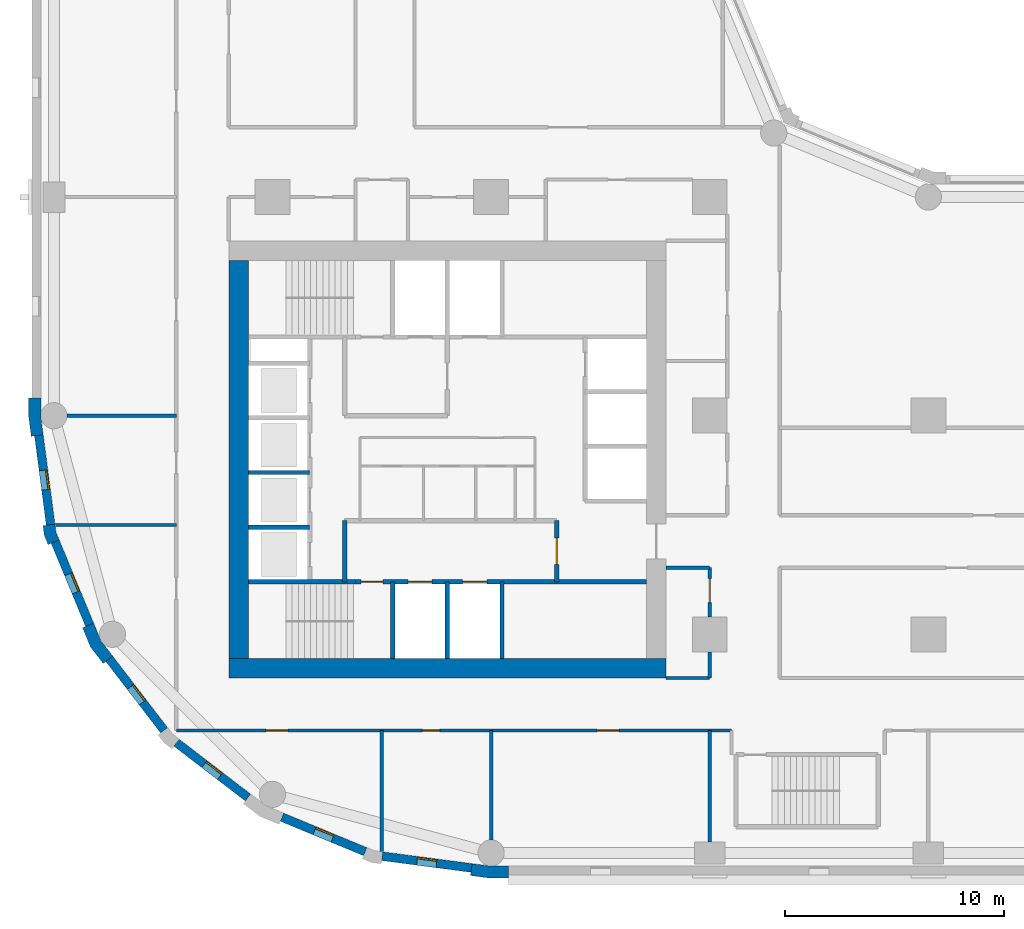
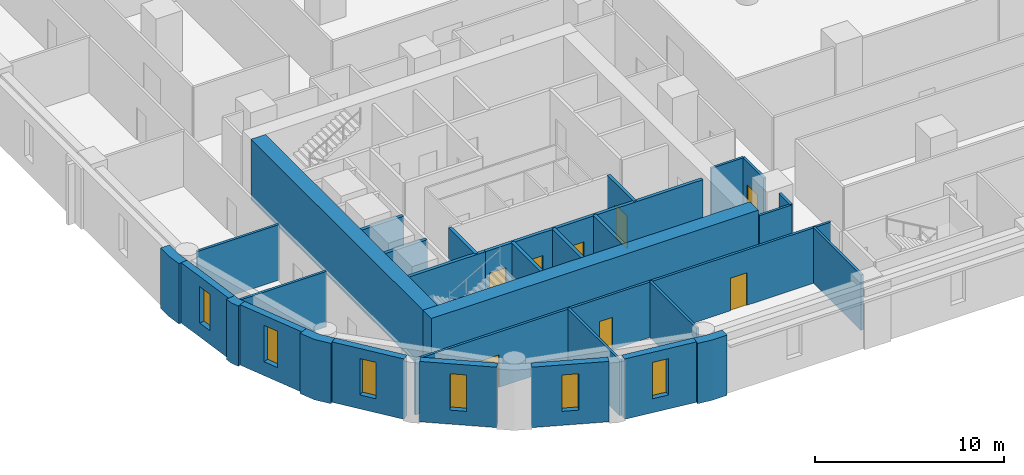
# One storey, part 2 of 11: 31 walls, 8 doors, 6 windows, 14 openings.
"""IFC4 building model written with IfcOpenShell, lengths in metres."""

from ifc_helpers import new_model, si_unit, direction, frame, frame_2d, origin, place, context, subcontext, project, spatial, polyline, rectangle, outline, extrude, material, layer, layer_set, type_object, element, fill, save


model = new_model("IFC4")

# Units and contexts
model_context = context("Model", 3, precision=1e-05, world=origin(), true_north=direction((0.0, 1.0)))
body_context = subcontext(model_context, "Body", "Model", "MODEL_VIEW")
ifc_project = project(units=[si_unit("LENGTHUNIT", "METRE"), si_unit("AREAUNIT", "SQUARE_METRE"), si_unit("VOLUMEUNIT", "CUBIC_METRE"), si_unit("PLANEANGLEUNIT", "RADIAN"), si_unit("MASSUNIT", "GRAM", prefix="KILO")], contexts=[model_context])

# Site, building, storey
site_placement = place(None, origin())
site = spatial("IfcSite", under=ifc_project, at=site_placement, CompositionType="ELEMENT")
building_placement = place(site_placement, origin())
building = spatial("IfcBuilding", under=site, at=building_placement, Name="Qaws Garden Tower", CompositionType="ELEMENT")
storey_placement = place(building_placement, frame((0.0, 0.0, 27.60009765625)))
storey = spatial("IfcBuildingStorey", under=building, at=storey_placement, Name="L06", CompositionType="ELEMENT", Elevation=27.60009765625)

# Wall, opening, window
ifc_material_1 = material(Name="Clay facing brick masonry", Category="masonry")
ifc_layer_1 = layer(ifc_material_1, 0.39990234375)
ifc_layer_set_1 = layer_set([ifc_layer_1], Name="Clay facing brick masonry")
wall_type_1 = type_object("IfcWallType", Name="Brick infill wall 400", PredefinedType="SOLIDWALL", material=ifc_layer_set_1)
wall_1_placement = place(storey_placement, frame((-0.688720703125, 19.102294921875, 0.0), z_axis=(0.0, 0.0, 1.0), x_axis=(0.130514280502, -0.991446429508, 0.0)))
wall_1 = element("IfcWall", 1, at=wall_1_placement, inside=storey, type_object=wall_type_1, Name="E-L06-infill-27", PredefinedType="SOLIDWALL", context=body_context, shape_type="SweptSolid", body=[
    extrude(rectangle(XDim=4.120849609375, YDim=0.39990234375, at=frame_2d((2.060546875, 0.0))), origin(), (0.0, 0.0, 1.0), 3.89990234375),
])
opening_1_placement = place(wall_1_placement, frame((1.610595703125, 0.0, 0.89990234375)))
opening_1 = element("IfcOpeningElement", 2, at=opening_1_placement, cuts=wall_1, Name="Opening W09", PredefinedType="OPENING", context=body_context, shape_type="SweptSolid", body=[
    extrude(rectangle(XDim=0.89990234375, YDim=2.35009765625, at=frame_2d((0.449951171875, 1.175048828125))), frame((0.0, 0.2099609375, 0.0), z_axis=(0.0, -1.0, 0.0), x_axis=(1.0, 0.0, 0.0)), (0.0, 0.0, 1.0), 0.419921875),
])
ifc_material_2 = material(Name="Aluminium framed window, clear glazing", Category="aluminium")
window_type = type_object("IfcWindowType", Name="Slit window 900 x 2350", PartitioningType="SINGLE_PANEL", PredefinedType="WINDOW", material=ifc_material_2)
window_1_placement = place(opening_1_placement, origin())
window_1 = element("IfcWindow", 3, at=window_1_placement, inside=storey, type_object=window_type, Name="E-L06-window-27-0", OverallHeight=2.35009765625, OverallWidth=0.89990234375, PartitioningType="SINGLE_PANEL", PredefinedType="WINDOW", context=body_context, shape_type="SweptSolid", body=[
    extrude(rectangle(XDim=0.89990234375, YDim=2.35009765625, at=frame_2d((0.449951171875, 1.175048828125))), frame((0.0, 0.159912109375, 0.0), z_axis=(0.0, -1.0, 0.0), x_axis=(1.0, 0.0, 0.0)), (0.0, 0.0, 1.0), 0.06005859375),
])
fill(opening_1, window_1)

wall_2_placement = place(storey_placement, frame((0.05712890625, 14.240234375, 0.0), z_axis=(0.0, 0.0, 1.0), x_axis=(0.382721546029, -0.923863744394, 0.0)))
wall_2 = element("IfcWall", 4, at=wall_2_placement, inside=storey, type_object=wall_type_1, Name="E-L06-infill-28", PredefinedType="SOLIDWALL", context=body_context, shape_type="SweptSolid", body=[
    extrude(rectangle(XDim=4.120849609375, YDim=0.39990234375, at=frame_2d((2.060546875, 0.0))), origin(), (0.0, 0.0, 1.0), 3.89990234375),
])
opening_2_placement = place(wall_2_placement, frame((1.610595703125, 0.0, 0.89990234375)))
opening_2 = element("IfcOpeningElement", 5, at=opening_2_placement, cuts=wall_2, Name="Opening W09", PredefinedType="OPENING", context=body_context, shape_type="SweptSolid", body=[
    extrude(rectangle(XDim=0.89990234375, YDim=2.35009765625, at=frame_2d((0.449951171875, 1.175048828125))), frame((0.0, 0.2099609375, 0.0), z_axis=(0.0, -1.0, 0.0), x_axis=(1.0, 0.0, 0.0)), (0.0, 0.0, 1.0), 0.419921875),
])
window_2_placement = place(opening_2_placement, origin())
window_2 = element("IfcWindow", 6, at=window_2_placement, inside=storey, type_object=window_type, Name="E-L06-window-28-0", OverallHeight=2.35009765625, OverallWidth=0.89990234375, PartitioningType="SINGLE_PANEL", PredefinedType="WINDOW", context=body_context, shape_type="SweptSolid", body=[
    extrude(rectangle(XDim=0.89990234375, YDim=2.35009765625, at=frame_2d((0.449951171875, 1.175048828125))), frame((0.0, 0.159912109375, 0.0), z_axis=(0.0, -1.0, 0.0), x_axis=(1.0, 0.0, 0.0)), (0.0, 0.0, 1.0), 0.06005859375),
])
fill(opening_2, window_2)

wall_3_placement = place(storey_placement, frame((2.53173828125, 8.87841796875, 0.0), z_axis=(0.0, 0.0, 1.0), x_axis=(0.608759824817, -0.793354571229, 0.0)))
wall_3 = element("IfcWall", 7, at=wall_3_placement, inside=storey, type_object=wall_type_1, Name="E-L06-infill-29", PredefinedType="SOLIDWALL", context=body_context, shape_type="SweptSolid", body=[
    extrude(rectangle(XDim=4.12109375, YDim=0.39990234375, at=frame_2d((2.060546875, 0.0))), origin(), (0.0, 0.0, 1.0), 3.89990234375),
])
opening_3_placement = place(wall_3_placement, frame((1.610595703125, 0.0, 0.89990234375)))
opening_3 = element("IfcOpeningElement", 8, at=opening_3_placement, cuts=wall_3, Name="Opening W09", PredefinedType="OPENING", context=body_context, shape_type="SweptSolid", body=[
    extrude(rectangle(XDim=0.89990234375, YDim=2.35009765625, at=frame_2d((0.449951171875, 1.175048828125))), frame((0.0, 0.2099609375, 0.0), z_axis=(0.0, -1.0, 0.0), x_axis=(1.0, 0.0, 0.0)), (0.0, 0.0, 1.0), 0.419921875),
])
window_3_placement = place(opening_3_placement, origin())
window_3 = element("IfcWindow", 9, at=window_3_placement, inside=storey, type_object=window_type, Name="E-L06-window-29-0", OverallHeight=2.35009765625, OverallWidth=0.89990234375, PartitioningType="SINGLE_PANEL", PredefinedType="WINDOW", context=body_context, shape_type="SweptSolid", body=[
    extrude(rectangle(XDim=0.89990234375, YDim=2.35009765625, at=frame_2d((0.449951171875, 1.175048828125))), frame((0.0, 0.159912109375, 0.0), z_axis=(0.0, -1.0, 0.0), x_axis=(1.0, 0.0, 0.0)), (0.0, 0.0, 1.0), 0.06005859375),
])
fill(opening_3, window_3)

wall_4_placement = place(storey_placement, frame((5.60888671875, 5.04052734375, 0.0), z_axis=(0.0, 0.0, 1.0), x_axis=(0.793354571229, -0.608759824817, 0.0)))
wall_4 = element("IfcWall", 10, at=wall_4_placement, inside=storey, type_object=wall_type_1, Name="E-L06-infill-30", PredefinedType="SOLIDWALL", context=body_context, shape_type="SweptSolid", body=[
    extrude(rectangle(XDim=4.12109375, YDim=0.39990234375, at=frame_2d((2.060546875, 0.0))), origin(), (0.0, 0.0, 1.0), 3.89990234375),
])
opening_4_placement = place(wall_4_placement, frame((1.610595703125, 0.0, 0.89990234375)))
opening_4 = element("IfcOpeningElement", 11, at=opening_4_placement, cuts=wall_4, Name="Opening W09", PredefinedType="OPENING", context=body_context, shape_type="SweptSolid", body=[
    extrude(rectangle(XDim=0.89990234375, YDim=2.35009765625, at=frame_2d((0.449951171875, 1.175048828125))), frame((0.0, 0.2099609375, 0.0), z_axis=(0.0, -1.0, 0.0), x_axis=(1.0, 0.0, 0.0)), (0.0, 0.0, 1.0), 0.419921875),
])
window_4_placement = place(opening_4_placement, origin())
window_4 = element("IfcWindow", 12, at=window_4_placement, inside=storey, type_object=window_type, Name="E-L06-window-30-0", OverallHeight=2.35009765625, OverallWidth=0.89990234375, PartitioningType="SINGLE_PANEL", PredefinedType="WINDOW", context=body_context, shape_type="SweptSolid", body=[
    extrude(rectangle(XDim=0.89990234375, YDim=2.35009765625, at=frame_2d((0.449951171875, 1.175048828125))), frame((0.0, 0.159912109375, 0.0), z_axis=(0.0, -1.0, 0.0), x_axis=(1.0, 0.0, 0.0)), (0.0, 0.0, 1.0), 0.06005859375),
])
fill(opening_4, window_4)

wall_5_placement = place(storey_placement, frame((10.43310546875, 1.63427734375, 0.0), z_axis=(0.0, 0.0, 1.0), x_axis=(0.923863744394, -0.382721546029, 0.0)))
wall_5 = element("IfcWall", 13, at=wall_5_placement, inside=storey, type_object=wall_type_1, Name="E-L06-infill-31", PredefinedType="SOLIDWALL", context=body_context, shape_type="SweptSolid", body=[
    extrude(rectangle(XDim=4.120849609375, YDim=0.39990234375, at=frame_2d((2.060546875, 0.0))), origin(), (0.0, 0.0, 1.0), 3.89990234375),
])
opening_5_placement = place(wall_5_placement, frame((1.610595703125, 0.0, 0.89990234375)))
opening_5 = element("IfcOpeningElement", 14, at=opening_5_placement, cuts=wall_5, Name="Opening W09", PredefinedType="OPENING", context=body_context, shape_type="SweptSolid", body=[
    extrude(rectangle(XDim=0.89990234375, YDim=2.35009765625, at=frame_2d((0.449951171875, 1.175048828125))), frame((0.0, 0.2099609375, 0.0), z_axis=(0.0, -1.0, 0.0), x_axis=(1.0, 0.0, 0.0)), (0.0, 0.0, 1.0), 0.419921875),
])
window_5_placement = place(opening_5_placement, origin())
window_5 = element("IfcWindow", 15, at=window_5_placement, inside=storey, type_object=window_type, Name="E-L06-window-31-0", OverallHeight=2.35009765625, OverallWidth=0.89990234375, PartitioningType="SINGLE_PANEL", PredefinedType="WINDOW", context=body_context, shape_type="SweptSolid", body=[
    extrude(rectangle(XDim=0.89990234375, YDim=2.35009765625, at=frame_2d((0.449951171875, 1.175048828125))), frame((0.0, 0.159912109375, 0.0), z_axis=(0.0, -1.0, 0.0), x_axis=(1.0, 0.0, 0.0)), (0.0, 0.0, 1.0), 0.06005859375),
])
fill(opening_5, window_5)

wall_6_placement = place(storey_placement, frame((15.0166015625, -0.15087890625, 0.0), z_axis=(0.0, 0.0, 1.0), x_axis=(0.991446429508, -0.130514280502, 0.0)))
wall_6 = element("IfcWall", 16, at=wall_6_placement, inside=storey, type_object=wall_type_1, Name="E-L06-infill-32", PredefinedType="SOLIDWALL", context=body_context, shape_type="SweptSolid", body=[
    extrude(rectangle(XDim=4.120849609375, YDim=0.39990234375, at=frame_2d((2.060546875, 0.0))), origin(), (0.0, 0.0, 1.0), 3.89990234375),
])
opening_6_placement = place(wall_6_placement, frame((1.610595703125, 0.0, 0.89990234375)))
opening_6 = element("IfcOpeningElement", 17, at=opening_6_placement, cuts=wall_6, Name="Opening W09", PredefinedType="OPENING", context=body_context, shape_type="SweptSolid", body=[
    extrude(rectangle(XDim=0.89990234375, YDim=2.35009765625, at=frame_2d((0.449951171875, 1.175048828125))), frame((0.0, 0.2099609375, 0.0), z_axis=(0.0, -1.0, 0.0), x_axis=(1.0, 0.0, 0.0)), (0.0, 0.0, 1.0), 0.419921875),
])
window_6_placement = place(opening_6_placement, origin())
window_6 = element("IfcWindow", 18, at=window_6_placement, inside=storey, type_object=window_type, Name="E-L06-window-32-0", OverallHeight=2.35009765625, OverallWidth=0.89990234375, PartitioningType="SINGLE_PANEL", PredefinedType="WINDOW", context=body_context, shape_type="SweptSolid", body=[
    extrude(rectangle(XDim=0.89990234375, YDim=2.35009765625, at=frame_2d((0.449951171875, 1.175048828125))), frame((0.0, 0.159912109375, 0.0), z_axis=(0.0, -1.0, 0.0), x_axis=(1.0, 0.0, 0.0)), (0.0, 0.0, 1.0), 0.06005859375),
])
fill(opening_6, window_6)

# Walls
ifc_material_3 = material(Name="Clay facing brick masonry", Category="masonry")
ifc_layer_2 = layer(ifc_material_3, 0.550048828125)
ifc_layer_set_2 = layer_set([ifc_layer_2], Name="Clay facing brick masonry")
wall_type_2 = type_object("IfcWallType", Name="Brick kink pier 550 x 600", PredefinedType="SOLIDWALL", material=ifc_layer_set_2)
placement = place(storey_placement, origin())
element("IfcWall", 19, at=placement, inside=storey, type_object=wall_type_2, Name="E-L06-pier-28", PredefinedType="SOLIDWALL", context=body_context, shape_type="SweptSolid", body=[
    extrude(outline(polyline([(-0.34912109375, 14.990478515625), (-0.497802734375, 14.970947265625), (-0.43896484375, 14.5234375), (-0.26611328125, 14.1064453125), (-0.127685546875, 14.163818359375), (0.241943359375, 14.31689453125), (0.096923828125, 14.6669921875), (0.04736328125, 15.042724609375), (-0.34912109375, 14.990478515625)])), origin(), (0.0, 0.0, 1.0), 3.89990234375),
])
ifc_material_4 = material(Name="Clay facing brick masonry", Category="masonry")
ifc_layer_3 = layer(ifc_material_4, 0.550048828125)
ifc_layer_set_3 = layer_set([ifc_layer_3], Name="Clay facing brick masonry")
wall_type_3 = type_object("IfcWallType", Name="Brick pier 550 x 1600", PredefinedType="SOLIDWALL", material=ifc_layer_set_3)
element("IfcWall", 20, at=placement, inside=storey, type_object=wall_type_3, Name="E-L06-pier-00", PredefinedType="SOLIDWALL", context=body_context, shape_type="SweptSolid", body=[
    extrude(outline(polyline([(19.076416015625, -0.886962890625), (19.056640625, -1.03564453125), (19.924560546875, -1.14990234375), (20.800048828125, -1.14990234375), (20.800048828125, -1.0), (20.800048828125, -0.60009765625), (19.960693359375, -0.60009765625), (19.12841796875, -0.490478515625), (19.076416015625, -0.886962890625)])), origin(), (0.0, 0.0, 1.0), 3.89990234375),
])
element("IfcWall", 21, at=placement, inside=storey, type_object=wall_type_3, Name="E-L06-pier-27", PredefinedType="SOLIDWALL", context=body_context, shape_type="SweptSolid", body=[
    extrude(outline(polyline([(-1.0, 20.800048828125), (-1.14990234375, 20.800048828125), (-1.14990234375, 19.924560546875), (-1.03564453125, 19.056640625), (-0.886962890625, 19.076416015625), (-0.490478515625, 19.12841796875), (-0.60009765625, 19.960693359375), (-0.60009765625, 20.800048828125), (-1.0, 20.800048828125)])), origin(), (0.0, 0.0, 1.0), 3.89990234375),
])
element("IfcWall", 22, at=placement, inside=storey, type_object=wall_type_3, Name="E-L06-pier-29", PredefinedType="SOLIDWALL", context=body_context, shape_type="SweptSolid", body=[
    extrude(outline(polyline([(1.449462890625, 10.3564453125), (1.310791015625, 10.299072265625), (1.675048828125, 9.419921875), (2.254150390625, 8.665283203125), (2.373046875, 8.756591796875), (2.6904296875, 9.0), (2.1552734375, 9.697509765625), (1.819091796875, 10.509521484375), (1.449462890625, 10.3564453125)])), origin(), (0.0, 0.0, 1.0), 3.89990234375),
])
ifc_material_5 = material(Name="Concrete C80", Category="concrete")
ifc_layer_4 = layer(ifc_material_5, 0.199951171875)
ifc_layer_set_4 = layer_set([ifc_layer_4], Name="Concrete C80")
wall_type_4 = type_object("IfcWallType", Name="Core shaft wall 200 C80", PredefinedType="SHEAR", material=ifc_layer_set_4)
wall_11_placement = place(storey_placement, frame((8.89990234375, 12.39990234375, 0.0), z_axis=(0.0, 0.0, 1.0), x_axis=(1.0, 0.0, 0.0)))
element("IfcWall", 23, at=wall_11_placement, inside=storey, type_object=wall_type_4, Name="Shaft wall", PredefinedType="SHEAR", context=body_context, shape_type="SweptSolid", body=[
    extrude(rectangle(XDim=4.900146484375, YDim=0.199951171875, at=frame_2d((2.4501953125, 0.0))), origin(), (0.0, 0.0, 1.0), 3.579833984375),
])

# Wall, openings, doors
wall_12_placement = place(storey_placement, frame((13.800048828125, 12.39990234375, 0.0), z_axis=(0.0, 0.0, 1.0), x_axis=(1.0, 0.0, 0.0)))
wall_12 = element("IfcWall", 24, at=wall_12_placement, inside=storey, type_object=wall_type_4, Name="Shaft wall", PredefinedType="SHEAR", context=body_context, shape_type="SweptSolid", body=[
    extrude(rectangle(XDim=13.300048828125, YDim=0.199951171875, at=frame_2d((6.64990234375, 0.0))), origin(), (0.0, 0.0, 1.0), 3.579833984375),
])
opening_7_placement = place(wall_12_placement, frame((2.39990234375, 0.0, 0.0)))
opening_7 = element("IfcOpeningElement", 25, at=opening_7_placement, cuts=wall_12, Name="Opening LD06", PredefinedType="OPENING", context=body_context, shape_type="SweptSolid", body=[
    extrude(rectangle(XDim=1.10009765625, YDim=2.10009765625, at=frame_2d((0.550048828125, 1.050048828125))), frame((0.0, 0.10986328125, 0.0), z_axis=(0.0, -1.0, 0.0), x_axis=(1.0, 0.0, 0.0)), (0.0, 0.0, 1.0), 0.219970703125),
])
opening_8_placement = place(wall_12_placement, frame((4.89990234375, 0.0, 0.0)))
opening_8 = element("IfcOpeningElement", 26, at=opening_8_placement, cuts=wall_12, Name="Opening LD07", PredefinedType="OPENING", context=body_context, shape_type="SweptSolid", body=[
    extrude(rectangle(XDim=1.10009765625, YDim=2.10009765625, at=frame_2d((0.550048828125, 1.050048828125))), frame((0.0, 0.10986328125, 0.0), z_axis=(0.0, -1.0, 0.0), x_axis=(1.0, 0.0, 0.0)), (0.0, 0.0, 1.0), 0.219970703125),
])
opening_9_placement = place(wall_12_placement, frame((0.25, 0.0, 0.0)))
opening_9 = element("IfcOpeningElement", 27, at=opening_9_placement, cuts=wall_12, Name="Opening SD10", PredefinedType="OPENING", context=body_context, shape_type="SweptSolid", body=[
    extrude(rectangle(XDim=1.0, YDim=2.10009765625, at=frame_2d((0.5, 1.050048828125))), frame((0.0, 0.10986328125, 0.0), z_axis=(0.0, -1.0, 0.0), x_axis=(1.0, 0.0, 0.0)), (0.0, 0.0, 1.0), 0.219970703125),
])
ifc_material_6 = material(Name="Steel S235", Category="steel")
door_type_1 = type_object("IfcDoorType", Name="Landing door 1100x2100", OperationType="DOUBLE_DOOR_SLIDING", PredefinedType="DOOR", material=ifc_material_6)
door_1_placement = place(opening_7_placement, origin())
door_1 = element("IfcDoor", 28, at=door_1_placement, inside=storey, type_object=door_type_1, Name="Lift FF1 landing door", OperationType="DOUBLE_DOOR_SLIDING", OverallHeight=2.10009765625, OverallWidth=1.10009765625, PredefinedType="DOOR", context=body_context, shape_type="SweptSolid", body=[
    extrude(rectangle(XDim=1.10009765625, YDim=2.10009765625, at=frame_2d((0.550048828125, 1.050048828125))), frame((0.0, 0.02490234375, 0.0), z_axis=(0.0, -1.0, 0.0), x_axis=(1.0, 0.0, 0.0)), (0.0, 0.0, 1.0), 0.050048828125),
])
fill(opening_7, door_1)
door_2_placement = place(opening_8_placement, origin())
door_2 = element("IfcDoor", 29, at=door_2_placement, inside=storey, type_object=door_type_1, Name="Lift FF2 landing door", OperationType="DOUBLE_DOOR_SLIDING", OverallHeight=2.10009765625, OverallWidth=1.10009765625, PredefinedType="DOOR", context=body_context, shape_type="SweptSolid", body=[
    extrude(rectangle(XDim=1.10009765625, YDim=2.10009765625, at=frame_2d((0.550048828125, 1.050048828125))), frame((0.0, 0.02490234375, 0.0), z_axis=(0.0, -1.0, 0.0), x_axis=(1.0, 0.0, 0.0)), (0.0, 0.0, 1.0), 0.050048828125),
])
fill(opening_8, door_2)
ifc_material_7 = material(Name="Steel S235", Category="steel")
door_type_2 = type_object("IfcDoorType", Name="Stair door 1000x2100", OperationType="SINGLE_SWING_RIGHT", PredefinedType="DOOR", material=ifc_material_7)
door_3_placement = place(opening_9_placement, frame((1.0, 0.0, 0.0), z_axis=(0.0, 0.0, 1.0), x_axis=(-1.0, 0.0, 0.0)))
door_3 = element("IfcDoor", 30, at=door_3_placement, inside=storey, type_object=door_type_2, Name="Stair 1 door", OperationType="SINGLE_SWING_LEFT", OverallHeight=2.10009765625, OverallWidth=1.0, PredefinedType="DOOR", context=body_context, shape_type="SweptSolid", body=[
    extrude(rectangle(XDim=1.0, YDim=2.10009765625, at=frame_2d((0.5, 1.050048828125))), frame((0.0, 0.02490234375, 0.0), z_axis=(0.0, -1.0, 0.0), x_axis=(1.0, 0.0, 0.0)), (0.0, 0.0, 1.0), 0.050048828125),
])
fill(opening_9, door_3)

# Walls
for number, where, z_axis, x_axis, name in (
    (31, (8.89990234375, 14.89990234375, 0.0), (0.0, 0.0, 1.0), (1.0, 0.0, 0.0), "Shaft wall"),
    (32, (8.89990234375, 17.39990234375, 0.0), (0.0, 0.0, 1.0), (1.0, 0.0, 0.0), "Shaft wall"),
    (33, (13.300048828125, 12.39990234375, 0.0), (0.0, 0.0, 1.0), (0.0, 1.0, 0.0), "Shaft wall"),
):
    element("IfcWall", number, at=place(storey_placement, frame(where, z_axis=z_axis, x_axis=x_axis)), inside=storey, type_object=wall_type_4, Name=name, PredefinedType="SHEAR", context=body_context, shape_type="SweptSolid", body=[
        extrude(rectangle(XDim=2.800048828125, YDim=0.199951171875, at=frame_2d((1.39990234375, 0.0))), origin(), (0.0, 0.0, 1.0), 3.579833984375),
    ])
for number, where, z_axis, x_axis, name in (
    (34, (15.5, 8.89990234375, 0.0), (0.0, 0.0, 1.0), (0.0, 1.0, 0.0), "Shaft wall"),
    (35, (18.0, 8.89990234375, 0.0), (0.0, 0.0, 1.0), (0.0, 1.0, 0.0), "Shaft wall"),
    (36, (20.5, 8.89990234375, 0.0), (0.0, 0.0, 1.0), (0.0, 1.0, 0.0), "Shaft wall"),
):
    element("IfcWall", number, at=place(storey_placement, frame(where, z_axis=z_axis, x_axis=x_axis)), inside=storey, type_object=wall_type_4, Name=name, PredefinedType="SHEAR", context=body_context, shape_type="SweptSolid", body=[
        extrude(rectangle(XDim=3.5, YDim=0.199951171875, at=frame_2d((1.75, 0.0))), origin(), (0.0, 0.0, 1.0), 3.579833984375),
    ])

# Wall, opening, door
wall_13_placement = place(storey_placement, frame((23.0, 12.39990234375, 0.0), z_axis=(0.0, 0.0, 1.0), x_axis=(0.0, 1.0, 0.0)))
wall_13 = element("IfcWall", 37, at=wall_13_placement, inside=storey, type_object=wall_type_4, Name="Shaft wall", PredefinedType="SHEAR", context=body_context, shape_type="SweptSolid", body=[
    extrude(rectangle(XDim=2.800048828125, YDim=0.199951171875, at=frame_2d((1.39990234375, 0.0))), origin(), (0.0, 0.0, 1.0), 3.579833984375),
])
opening_10_placement = place(wall_13_placement, frame((0.800048828125, 0.0, 0.0)))
opening_10 = element("IfcOpeningElement", 38, at=opening_10_placement, cuts=wall_13, Name="Opening FD15", PredefinedType="OPENING", context=body_context, shape_type="SweptSolid", body=[
    extrude(rectangle(XDim=1.199951171875, YDim=2.10009765625, at=frame_2d((0.60009765625, 1.050048828125))), frame((0.0, 0.10986328125, 0.0), z_axis=(0.0, -1.0, 0.0), x_axis=(1.0, 0.0, 0.0)), (0.0, 0.0, 1.0), 0.219970703125),
])
ifc_material_8 = material(Name="Steel S235", Category="steel")
door_type_3 = type_object("IfcDoorType", Name="Lobby door 1200x2100", OperationType="DOUBLE_DOOR_SINGLE_SWING", PredefinedType="DOOR", material=ifc_material_8)
door_4_placement = place(opening_10_placement, origin())
door_4 = element("IfcDoor", 39, at=door_4_placement, inside=storey, type_object=door_type_3, Name="Fire-fighting lobby door", OperationType="DOUBLE_DOOR_SINGLE_SWING", OverallHeight=2.10009765625, OverallWidth=1.199951171875, PredefinedType="DOOR", context=body_context, shape_type="SweptSolid", body=[
    extrude(rectangle(XDim=1.199951171875, YDim=2.10009765625, at=frame_2d((0.60009765625, 1.050048828125))), frame((0.0, 0.02490234375, 0.0), z_axis=(0.0, -1.0, 0.0), x_axis=(1.0, 0.0, 0.0)), (0.0, 0.0, 1.0), 0.050048828125),
])
fill(opening_10, door_4)

# Walls
ifc_material_9 = material(Name="Concrete C80", Category="concrete")
ifc_layer_5 = layer(ifc_material_9, 0.89990234375)
ifc_layer_set_5 = layer_set([ifc_layer_5], Name="Concrete C80")
wall_type_5 = type_object("IfcWallType", Name="Core wall 900 C80", PredefinedType="SHEAR", material=ifc_layer_set_5)
wall_14_placement = place(storey_placement, frame((8.0, 8.449951171875, 0.0), z_axis=(0.0, 0.0, 1.0), x_axis=(1.0, 0.0, 0.0)))
element("IfcWall", 40, at=wall_14_placement, inside=storey, type_object=wall_type_5, Name="Core wall L06 south", PredefinedType="SHEAR", context=body_context, shape_type="SweptSolid", body=[
    extrude(rectangle(XDim=20.0, YDim=0.89990234375, at=frame_2d((10.0, 0.0))), origin(), (0.0, 0.0, 1.0), 3.89990234375),
])
wall_15_placement = place(storey_placement, frame((8.449951171875, 27.10009765625, 0.0), z_axis=(0.0, 0.0, 1.0), x_axis=(0.0, -1.0, 0.0)))
element("IfcWall", 41, at=wall_15_placement, inside=storey, type_object=wall_type_5, Name="Core wall L06 west", PredefinedType="SHEAR", context=body_context, shape_type="SweptSolid", body=[
    extrude(rectangle(XDim=18.2001953125, YDim=0.89990234375, at=frame_2d((9.10009765625, 0.0))), origin(), (0.0, 0.0, 1.0), 3.89990234375),
])
ifc_material_10 = material(Name="Gypsum board partition")
ifc_layer_6 = layer(ifc_material_10, 0.14990234375)
ifc_layer_set_6 = layer_set([ifc_layer_6], Name="Gypsum board partition")
wall_type_6 = type_object("IfcWallType", Name="PARTITION 150 EI 60", PredefinedType="PARTITIONING", material=ifc_layer_set_6)
wall_16_placement = place(storey_placement, frame((15.0, 0.06298828125, 0.0), z_axis=(0.0, 0.0, 1.0), x_axis=(0.0, 1.0, 0.0)))
element("IfcWall", 42, at=wall_16_placement, inside=storey, type_object=wall_type_6, Name="O-L06-wall-011", PredefinedType="PARTITIONING", context=body_context, shape_type="SweptSolid", body=[
    extrude(rectangle(XDim=5.537109375, YDim=0.14990234375, at=frame_2d((2.7685546875, 0.0))), origin(), (0.0, 0.0, 1.0), 3.579833984375),
])
wall_17_placement = place(storey_placement, frame((20.0, 0.60009765625, 0.0), z_axis=(0.0, 0.0, 1.0), x_axis=(0.0, 1.0, 0.0)))
element("IfcWall", 43, at=wall_17_placement, inside=storey, type_object=wall_type_6, Name="O-L06-wall-015", PredefinedType="PARTITIONING", context=body_context, shape_type="SweptSolid", body=[
    extrude(rectangle(XDim=5.0, YDim=0.14990234375, at=frame_2d((2.5, 0.0))), origin(), (0.0, 0.0, 1.0), 3.579833984375),
])
wall_18_placement = place(storey_placement, frame((30.0, 0.5, 0.0), z_axis=(0.0, 0.0, 1.0), x_axis=(0.0, 1.0, 0.0)))
element("IfcWall", 44, at=wall_18_placement, inside=storey, type_object=wall_type_6, Name="O-L06-wall-018", PredefinedType="PARTITIONING", context=body_context, shape_type="SweptSolid", body=[
    extrude(rectangle(XDim=5.10009765625, YDim=0.14990234375, at=frame_2d((2.550048828125, 0.0))), origin(), (0.0, 0.0, 1.0), 3.579833984375),
])
wall_19_placement = place(storey_placement, frame((30.0, 8.0, 0.0), z_axis=(0.0, 0.0, 1.0), x_axis=(0.0, 1.0, 0.0)))
element("IfcWall", 45, at=wall_19_placement, inside=storey, type_object=wall_type_6, Name="O-L06-wall-019", PredefinedType="PARTITIONING", context=body_context, shape_type="SweptSolid", body=[
    extrude(rectangle(XDim=1.199951171875, YDim=0.14990234375, at=frame_2d((0.60009765625, 0.0))), origin(), (0.0, 0.0, 1.0), 3.579833984375),
])

# Wall, opening, door
wall_20_placement = place(storey_placement, frame((30.0, 10.800048828125, 0.0), z_axis=(0.0, 0.0, 1.0), x_axis=(0.0, 1.0, 0.0)))
wall_20 = element("IfcWall", 46, at=wall_20_placement, inside=storey, type_object=wall_type_6, Name="O-L06-wall-020", PredefinedType="PARTITIONING", context=body_context, shape_type="SweptSolid", body=[
    extrude(rectangle(XDim=2.25, YDim=0.14990234375, at=frame_2d((1.125, 0.0))), origin(), (0.0, 0.0, 1.0), 3.579833984375),
])
opening_11_placement = place(wall_20_placement, frame((0.64990234375, 0.0, 0.0)))
opening_11 = element("IfcOpeningElement", 47, at=opening_11_placement, cuts=wall_20, Name="Opening A210", PredefinedType="OPENING", context=body_context, shape_type="SweptSolid", body=[
    extrude(rectangle(XDim=1.10009765625, YDim=2.10009765625, at=frame_2d((0.550048828125, 1.050048828125))), frame((0.0, 0.0849609375, 0.0), z_axis=(0.0, -1.0, 0.0), x_axis=(1.0, 0.0, 0.0)), (0.0, 0.0, 1.0), 0.169921875),
])
ifc_material_11 = material(Name="Timber door leaf", Category="wood")
door_type_4 = type_object("IfcDoorType", Name="SERVICE ROOM DOOR 1100 X 2100", OperationType="SINGLE_SWING_LEFT", PredefinedType="DOOR", material=ifc_material_11)
door_5_placement = place(opening_11_placement, origin())
door_5 = element("IfcDoor", 48, at=door_5_placement, inside=storey, type_object=door_type_4, Name="O-L06-door-010", OperationType="SINGLE_SWING_RIGHT", OverallHeight=2.10009765625, OverallWidth=1.10009765625, PredefinedType="DOOR", context=body_context, shape_type="SweptSolid", body=[
    extrude(rectangle(XDim=1.10009765625, YDim=2.10009765625, at=frame_2d((0.550048828125, 1.050048828125))), frame((0.0, 0.02490234375, 0.0), z_axis=(0.0, -1.0, 0.0), x_axis=(1.0, 0.0, 0.0)), (0.0, 0.0, 1.0), 0.050048828125),
])
fill(opening_11, door_5)

# Wall, openings, doors
wall_21_placement = place(storey_placement, frame((5.60009765625, 5.60009765625, 0.0), z_axis=(0.0, 0.0, 1.0), x_axis=(1.0, 0.0, 0.0)))
wall_21 = element("IfcWall", 49, at=wall_21_placement, inside=storey, type_object=wall_type_6, Name="O-L06-wall-036", PredefinedType="PARTITIONING", context=body_context, shape_type="SweptSolid", body=[
    extrude(rectangle(XDim=25.39990234375, YDim=0.14990234375, at=frame_2d((12.699951171875, 0.0))), origin(), (0.0, 0.0, 1.0), 3.579833984375),
])
opening_12_placement = place(wall_21_placement, frame((4.10009765625, 0.0, 0.0)))
opening_12 = element("IfcOpeningElement", 50, at=opening_12_placement, cuts=wall_21, Name="Opening A226", PredefinedType="OPENING", context=body_context, shape_type="SweptSolid", body=[
    extrude(rectangle(XDim=1.0, YDim=2.10009765625, at=frame_2d((0.5, 1.050048828125))), frame((0.0, 0.0849609375, 0.0), z_axis=(0.0, -1.0, 0.0), x_axis=(1.0, 0.0, 0.0)), (0.0, 0.0, 1.0), 0.169921875),
])
opening_13_placement = place(wall_21_placement, frame((11.25, 0.0, 0.0)))
opening_13 = element("IfcOpeningElement", 51, at=opening_13_placement, cuts=wall_21, Name="Opening A227", PredefinedType="OPENING", context=body_context, shape_type="SweptSolid", body=[
    extrude(rectangle(XDim=0.800048828125, YDim=2.10009765625, at=frame_2d((0.39990234375, 1.050048828125))), frame((0.0, 0.0849609375, 0.0), z_axis=(0.0, -1.0, 0.0), x_axis=(1.0, 0.0, 0.0)), (0.0, 0.0, 1.0), 0.169921875),
])
opening_14_placement = place(wall_21_placement, frame((19.25, 0.0, 0.0)))
opening_14 = element("IfcOpeningElement", 52, at=opening_14_placement, cuts=wall_21, Name="Opening A228", PredefinedType="OPENING", context=body_context, shape_type="SweptSolid", body=[
    extrude(rectangle(XDim=1.0, YDim=2.10009765625, at=frame_2d((0.5, 1.050048828125))), frame((0.0, 0.0849609375, 0.0), z_axis=(0.0, -1.0, 0.0), x_axis=(1.0, 0.0, 0.0)), (0.0, 0.0, 1.0), 0.169921875),
])
ifc_material_12 = material(Name="Timber door leaf", Category="wood")
door_type_5 = type_object("IfcDoorType", Name="STORE DOOR 800 X 2100", OperationType="SINGLE_SWING_LEFT", PredefinedType="DOOR", material=ifc_material_12)
door_6_placement = place(opening_13_placement, frame((0.800048828125, 0.0, 0.0), z_axis=(0.0, 0.0, 1.0), x_axis=(-1.0, 0.0, 0.0)))
door_6 = element("IfcDoor", 53, at=door_6_placement, inside=storey, type_object=door_type_5, Name="O-L06-door-027", OperationType="SINGLE_SWING_LEFT", OverallHeight=2.10009765625, OverallWidth=0.800048828125, PredefinedType="DOOR", context=body_context, shape_type="SweptSolid", body=[
    extrude(rectangle(XDim=0.800048828125, YDim=2.10009765625, at=frame_2d((0.39990234375, 1.050048828125))), frame((0.0, 0.02490234375, 0.0), z_axis=(0.0, -1.0, 0.0), x_axis=(1.0, 0.0, 0.0)), (0.0, 0.0, 1.0), 0.050048828125),
])
fill(opening_13, door_6)
ifc_material_13 = material(Name="Timber door leaf", Category="wood")
door_type_6 = type_object("IfcDoorType", Name="TENANCY ENTRANCE DOOR 1000 X 2100", OperationType="SINGLE_SWING_LEFT", PredefinedType="DOOR", material=ifc_material_13)
door_7_placement = place(opening_12_placement, frame((1.0, 0.0, 0.0), z_axis=(0.0, 0.0, 1.0), x_axis=(-1.0, 0.0, 0.0)))
door_7 = element("IfcDoor", 54, at=door_7_placement, inside=storey, type_object=door_type_6, Name="O-L06-door-026", OperationType="SINGLE_SWING_LEFT", OverallHeight=2.10009765625, OverallWidth=1.0, PredefinedType="DOOR", context=body_context, shape_type="SweptSolid", body=[
    extrude(rectangle(XDim=1.0, YDim=2.10009765625, at=frame_2d((0.5, 1.050048828125))), frame((0.0, 0.02490234375, 0.0), z_axis=(0.0, -1.0, 0.0), x_axis=(1.0, 0.0, 0.0)), (0.0, 0.0, 1.0), 0.050048828125),
])
fill(opening_12, door_7)
door_8_placement = place(opening_14_placement, frame((1.0, 0.0, 0.0), z_axis=(0.0, 0.0, 1.0), x_axis=(-1.0, 0.0, 0.0)))
door_8 = element("IfcDoor", 55, at=door_8_placement, inside=storey, type_object=door_type_6, Name="O-L06-door-028", OperationType="SINGLE_SWING_LEFT", OverallHeight=2.10009765625, OverallWidth=1.0, PredefinedType="DOOR", context=body_context, shape_type="SweptSolid", body=[
    extrude(rectangle(XDim=1.0, YDim=2.10009765625, at=frame_2d((0.5, 1.050048828125))), frame((0.0, 0.02490234375, 0.0), z_axis=(0.0, -1.0, 0.0), x_axis=(1.0, 0.0, 0.0)), (0.0, 0.0, 1.0), 0.050048828125),
])
fill(opening_14, door_8)

# Walls
for number, where, z_axis, x_axis, name in (
    (56, (28.0, 8.0, 0.0), (0.0, 0.0, 1.0), (1.0, 0.0, 0.0), "O-L06-wall-038"),
    (57, (28.0, 13.050048828125, 0.0), (0.0, 0.0, 1.0), (1.0, 0.0, 0.0), "O-L06-wall-040"),
):
    element("IfcWall", number, at=place(storey_placement, frame(where, z_axis=z_axis, x_axis=x_axis)), inside=storey, type_object=wall_type_6, Name=name, PredefinedType="PARTITIONING", context=body_context, shape_type="SweptSolid", body=[
        extrude(rectangle(XDim=2.0, YDim=0.14990234375, at=frame_2d((1.0, 0.0))), origin(), (0.0, 0.0, 1.0), 3.579833984375),
    ])
wall_22_placement = place(storey_placement, frame((0.06298828125, 15.0, 0.0), z_axis=(0.0, 0.0, 1.0), x_axis=(1.0, 0.0, 0.0)))
element("IfcWall", 58, at=wall_22_placement, inside=storey, type_object=wall_type_6, Name="O-L06-wall-042", PredefinedType="PARTITIONING", context=body_context, shape_type="SweptSolid", body=[
    extrude(rectangle(XDim=5.537109375, YDim=0.14990234375, at=frame_2d((2.7685546875, 0.0))), origin(), (0.0, 0.0, 1.0), 3.579833984375),
])
wall_23_placement = place(storey_placement, frame((0.60009765625, 20.0, 0.0), z_axis=(0.0, 0.0, 1.0), x_axis=(1.0, 0.0, 0.0)))
element("IfcWall", 59, at=wall_23_placement, inside=storey, type_object=wall_type_6, Name="O-L06-wall-048", PredefinedType="PARTITIONING", context=body_context, shape_type="SweptSolid", body=[
    extrude(rectangle(XDim=5.0, YDim=0.14990234375, at=frame_2d((2.5, 0.0))), origin(), (0.0, 0.0, 1.0), 3.579833984375),
])

save(model, "model.ifc")
